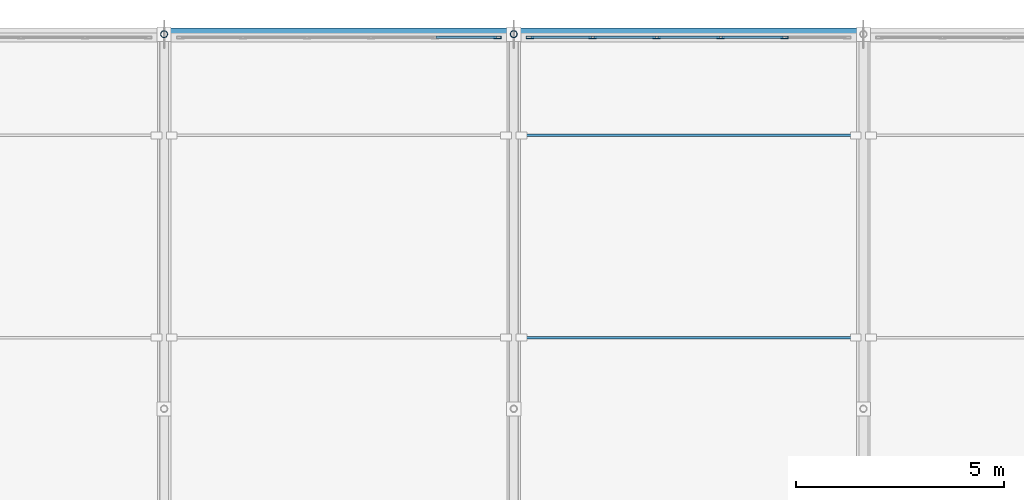
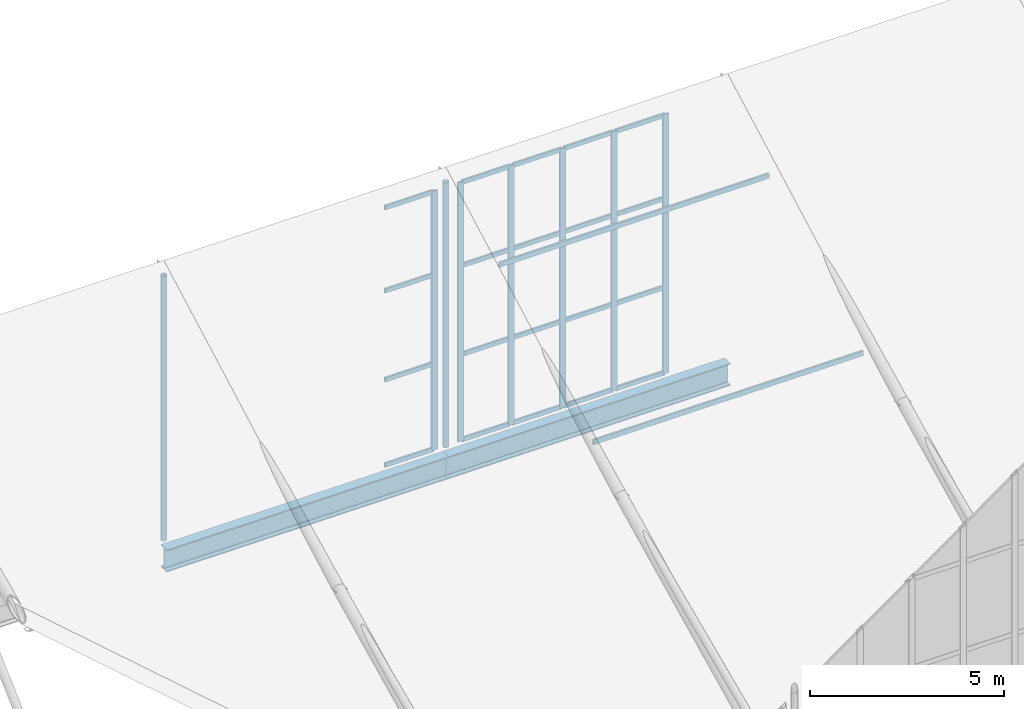
# One storey, part 23 of 38: 30 members, 2 beams, 2 elements without a shape of their own.
"""IFC4 building model written with IfcOpenShell, lengths in metres."""

from ifc_helpers import new_model, si_unit, direction, frame, origin, origin_2d, place, context, subcontext, project, spatial, hollow_rectangle, hollow_circle, i_section, extrude, material, material_profile, profile_set, type_object, element, aggregate, save


model = new_model("IFC4")

# Units and contexts
model_context = context("Model", 3, precision=1e-05, world=origin(), true_north=direction((0.0, 1.0)))
body_context = subcontext(model_context, "Body", "Model", "MODEL_VIEW")
ifc_project = project(units=[si_unit("LENGTHUNIT", "METRE"), si_unit("AREAUNIT", "SQUARE_METRE"), si_unit("VOLUMEUNIT", "CUBIC_METRE"), si_unit("PLANEANGLEUNIT", "RADIAN"), si_unit("MASSUNIT", "GRAM", prefix="KILO")], contexts=[model_context])

# Site, building, storey
site_placement = place(None, origin())
site = spatial("IfcSite", under=ifc_project, at=site_placement, CompositionType="ELEMENT")
building_placement = place(site_placement, origin())
building = spatial("IfcBuilding", under=site, at=building_placement, Name="Veltarok Museum of Natural Sciences", CompositionType="ELEMENT")
storey_placement = place(building_placement, frame((0.0, 0.0, 31.199951171875)))
storey = spatial("IfcBuildingStorey", under=building, at=storey_placement, Name="RF", CompositionType="ELEMENT", Elevation=31.199951171875)

# Beams
ifc_material_1 = material(Name="Steel S355J2", Category="steel")
ifc_material_profile_1 = material_profile(ifc_material_1, i_section(OverallWidth=0.300048828125, OverallDepth=0.699951171875, WebThickness=0.01708984375, FlangeThickness=0.031982421875, FilletRadius=0.027099609375, at=origin_2d()), Name="HEB 700")
ifc_profile_set_1 = profile_set([ifc_material_profile_1], Name="Steel S355J2")
beam_type = type_object("IfcBeamType", Name="Long-Span Hall Girder HEB 700", PredefinedType="BEAM", material=ifc_profile_set_1)
beam_1_placement = place(storey_placement, frame((48.39990234375, 72.0, -6.389892578125), z_axis=(1.0, 0.0, 0.0), x_axis=(0.0, 1.0, 0.0)))
element("IfcBeam", 1, at=beam_1_placement, inside=storey, type_object=beam_type, Name="Sawtooth Valley Girder 6-7 Y=72.0", PredefinedType="BEAM", context=body_context, shape_type="SweptSolid", body=[
    extrude(i_section(OverallWidth=0.300048828125, OverallDepth=0.699951171875, WebThickness=0.01708984375, FlangeThickness=0.031982421875, FilletRadius=0.027099609375, at=origin_2d()), origin(), (0.0, 0.0, 1.0), 8.400146484375),
])
beam_2_placement = place(storey_placement, frame((56.800048828125, 72.0, -6.389892578125), z_axis=(1.0, 0.0, 0.0), x_axis=(0.0, 1.0, 0.0)))
element("IfcBeam", 2, at=beam_2_placement, inside=storey, type_object=beam_type, Name="Sawtooth Valley Girder 7-8 Y=72.0", PredefinedType="BEAM", context=body_context, shape_type="SweptSolid", body=[
    extrude(i_section(OverallWidth=0.300048828125, OverallDepth=0.699951171875, WebThickness=0.01708984375, FlangeThickness=0.031982421875, FilletRadius=0.027099609375, at=origin_2d()), origin(), (0.0, 0.0, 1.0), 8.39990234375),
])

# Curtain wall, member
ifc_material_2 = material(Name="Low-iron triple insulated glass", Category="glass")
curtain_wall_type = type_object("IfcCurtainWallType", Name="Curtain Wall System CW-SAW-M2-768x817 (Sawtooth North Clerestory M2 768x817cm)", PredefinedType="NOTDEFINED", material=ifc_material_2)
curtain_wall_1_placement = place(storey_placement, origin())
curtain_wall_1 = element("IfcCurtainWall", 3, at=curtain_wall_1_placement, inside=storey, type_object=curtain_wall_type, Name="Curtain Wall CW-SAW-M2-768x817 CW-SAW-0075", PredefinedType="NOTDEFINED")
ifc_material_3 = material(Name="Thermally broken anodised aluminium", Category="aluminium")
ifc_material_profile_2 = material_profile(ifc_material_3, hollow_rectangle(XDim=0.06005859375, YDim=0.179931640625, WallThickness=0.006103515625, at=origin_2d()), Name="CW MULLION 60x180x6")
ifc_profile_set_2 = profile_set([ifc_material_profile_2], Name="Thermally broken anodised aluminium")
member_type_1 = type_object("IfcMemberType", Name="Sawtooth Clerestory Mullion 60x180x6", PredefinedType="MULLION", material=ifc_profile_set_2)
member_1_placement = place(storey_placement, frame((56.409912109375, 71.919921875, -5.719970703125), z_axis=(0.0, 0.0, 1.0), x_axis=(0.0, -1.0, 0.0)))
member_1 = element("IfcMember", 4, at=member_1_placement, type_object=member_type_1, Name="CW-SAW-M2-768x817 mullion 1", PredefinedType="MULLION", context=body_context, shape_type="SweptSolid", body=[
    extrude(hollow_rectangle(XDim=0.06005859375, YDim=0.179931640625, WallThickness=0.006103515625, at=origin_2d()), origin(), (0.0, 0.0, 1.0), 8.169921875),
])

# Curtain wall, members
curtain_wall_2_placement = place(storey_placement, origin())
curtain_wall_2 = element("IfcCurtainWall", 5, at=curtain_wall_2_placement, inside=storey, type_object=curtain_wall_type, Name="Curtain Wall CW-SAW-M2-768x817 CW-SAW-0077", PredefinedType="NOTDEFINED")
member_2_placement = place(storey_placement, frame((63.303955078125, 71.919921875, -5.719970703125), z_axis=(0.0, 0.0, 1.0), x_axis=(0.0, -1.0, 0.0)))
member_2 = element("IfcMember", 6, at=member_2_placement, type_object=member_type_1, Name="CW-SAW-M2-768x817 mullion 2", PredefinedType="MULLION", context=body_context, shape_type="SweptSolid", body=[
    extrude(hollow_rectangle(XDim=0.06005859375, YDim=0.179931640625, WallThickness=0.006103515625, at=origin_2d()), origin(), (0.0, 0.0, 1.0), 8.169921875),
])
member_3_placement = place(storey_placement, frame((61.76806640625, 71.919921875, -5.719970703125), z_axis=(0.0, 0.0, 1.0), x_axis=(0.0, -1.0, 0.0)))
member_3 = element("IfcMember", 7, at=member_3_placement, type_object=member_type_1, Name="CW-SAW-M2-768x817 mullion 3", PredefinedType="MULLION", context=body_context, shape_type="SweptSolid", body=[
    extrude(hollow_rectangle(XDim=0.06005859375, YDim=0.179931640625, WallThickness=0.006103515625, at=origin_2d()), origin(), (0.0, 0.0, 1.0), 8.169921875),
])
member_4_placement = place(storey_placement, frame((60.23193359375, 71.919921875, -5.719970703125), z_axis=(0.0, 0.0, 1.0), x_axis=(0.0, -1.0, 0.0)))
member_4 = element("IfcMember", 8, at=member_4_placement, type_object=member_type_1, Name="CW-SAW-M2-768x817 mullion 4", PredefinedType="MULLION", context=body_context, shape_type="SweptSolid", body=[
    extrude(hollow_rectangle(XDim=0.06005859375, YDim=0.179931640625, WallThickness=0.006103515625, at=origin_2d()), origin(), (0.0, 0.0, 1.0), 8.169921875),
])
member_5_placement = place(storey_placement, frame((58.696044921875, 71.919921875, -5.719970703125), z_axis=(0.0, 0.0, 1.0), x_axis=(0.0, -1.0, 0.0)))
member_5 = element("IfcMember", 9, at=member_5_placement, type_object=member_type_1, Name="CW-SAW-M2-768x817 mullion 5", PredefinedType="MULLION", context=body_context, shape_type="SweptSolid", body=[
    extrude(hollow_rectangle(XDim=0.06005859375, YDim=0.179931640625, WallThickness=0.006103515625, at=origin_2d()), origin(), (0.0, 0.0, 1.0), 8.169921875),
])
member_6_placement = place(storey_placement, frame((57.18994140625, 71.919921875, -5.719970703125), z_axis=(0.0, 0.0, 1.0), x_axis=(0.0, -1.0, 0.0)))
member_6 = element("IfcMember", 10, at=member_6_placement, type_object=member_type_1, Name="CW-SAW-M2-768x817 mullion 6", PredefinedType="MULLION", context=body_context, shape_type="SweptSolid", body=[
    extrude(hollow_rectangle(XDim=0.06005859375, YDim=0.179931640625, WallThickness=0.006103515625, at=origin_2d()), origin(), (0.0, 0.0, 1.0), 8.169921875),
])

# Member
ifc_material_profile_3 = material_profile(ifc_material_3, hollow_rectangle(XDim=0.06005859375, YDim=0.139892578125, WallThickness=0.0048828125, at=origin_2d()), Name="CW TRANSOM 60x140x5")
ifc_profile_set_3 = profile_set([ifc_material_profile_3], Name="Thermally broken anodised aluminium")
member_type_2 = type_object("IfcMemberType", Name="Sawtooth Clerestory Transom 60x140x5", PredefinedType="USERDEFINED", material=ifc_profile_set_3)
member_7_placement = place(storey_placement, frame((56.3798828125, 71.919921875, -5.68994140625), z_axis=(-1.0, 0.0, 0.0), x_axis=(0.0, -1.0, 0.0)))
member_7 = element("IfcMember", 11, at=member_7_placement, type_object=member_type_2, Name="CW-SAW-M2-768x817 transom 1.1", ObjectType="TRANSOM", PredefinedType="USERDEFINED", context=body_context, shape_type="SweptSolid", body=[
    extrude(hollow_rectangle(XDim=0.06005859375, YDim=0.139892578125, WallThickness=0.0048828125, at=origin_2d()), origin(), (0.0, 0.0, 1.0), 1.44580078125),
])

member_8_placement = place(storey_placement, frame((56.3798828125, 71.919921875, -3.0), z_axis=(-1.0, 0.0, 0.0), x_axis=(0.0, -1.0, 0.0)))
member_8 = element("IfcMember", 12, at=member_8_placement, type_object=member_type_2, Name="CW-SAW-M2-768x817 transom 1.2", ObjectType="TRANSOM", PredefinedType="USERDEFINED", context=body_context, shape_type="SweptSolid", body=[
    extrude(hollow_rectangle(XDim=0.06005859375, YDim=0.139892578125, WallThickness=0.0048828125, at=origin_2d()), origin(), (0.0, 0.0, 1.0), 1.44580078125),
])

member_9_placement = place(storey_placement, frame((56.3798828125, 71.919921875, -0.199951171875), z_axis=(-1.0, 0.0, 0.0), x_axis=(0.0, -1.0, 0.0)))
member_9 = element("IfcMember", 13, at=member_9_placement, type_object=member_type_2, Name="CW-SAW-M2-768x817 transom 1.3", ObjectType="TRANSOM", PredefinedType="USERDEFINED", context=body_context, shape_type="SweptSolid", body=[
    extrude(hollow_rectangle(XDim=0.06005859375, YDim=0.139892578125, WallThickness=0.0048828125, at=origin_2d()), origin(), (0.0, 0.0, 1.0), 1.44580078125),
])

member_10_placement = place(storey_placement, frame((56.3798828125, 71.919921875, 2.420166015625), z_axis=(-1.0, 0.0, 0.0), x_axis=(0.0, -1.0, 0.0)))
member_10 = element("IfcMember", 14, at=member_10_placement, type_object=member_type_2, Name="CW-SAW-M2-768x817 transom 1.4", ObjectType="TRANSOM", PredefinedType="USERDEFINED", context=body_context, shape_type="SweptSolid", body=[
    extrude(hollow_rectangle(XDim=0.06005859375, YDim=0.139892578125, WallThickness=0.0048828125, at=origin_2d()), origin(), (0.0, 0.0, 1.0), 1.44580078125),
])

aggregate(curtain_wall_1, [member_1, member_7, member_8, member_9, member_10])

member_11_placement = place(storey_placement, frame((63.27392578125, 71.919921875, -5.68994140625), z_axis=(-1.0, 0.0, 0.0), x_axis=(0.0, -1.0, 0.0)))
member_11 = element("IfcMember", 15, at=member_11_placement, type_object=member_type_2, Name="CW-SAW-M2-768x817 transom 2.1", ObjectType="TRANSOM", PredefinedType="USERDEFINED", context=body_context, shape_type="SweptSolid", body=[
    extrude(hollow_rectangle(XDim=0.06005859375, YDim=0.139892578125, WallThickness=0.0048828125, at=origin_2d()), origin(), (0.0, 0.0, 1.0), 1.475830078125),
])

member_12_placement = place(storey_placement, frame((63.27392578125, 71.919921875, -3.0), z_axis=(-1.0, 0.0, 0.0), x_axis=(0.0, -1.0, 0.0)))
member_12 = element("IfcMember", 16, at=member_12_placement, type_object=member_type_2, Name="CW-SAW-M2-768x817 transom 2.2", ObjectType="TRANSOM", PredefinedType="USERDEFINED", context=body_context, shape_type="SweptSolid", body=[
    extrude(hollow_rectangle(XDim=0.06005859375, YDim=0.139892578125, WallThickness=0.0048828125, at=origin_2d()), origin(), (0.0, 0.0, 1.0), 1.475830078125),
])

member_13_placement = place(storey_placement, frame((63.27392578125, 71.919921875, -0.199951171875), z_axis=(-1.0, 0.0, 0.0), x_axis=(0.0, -1.0, 0.0)))
member_13 = element("IfcMember", 17, at=member_13_placement, type_object=member_type_2, Name="CW-SAW-M2-768x817 transom 2.3", ObjectType="TRANSOM", PredefinedType="USERDEFINED", context=body_context, shape_type="SweptSolid", body=[
    extrude(hollow_rectangle(XDim=0.06005859375, YDim=0.139892578125, WallThickness=0.0048828125, at=origin_2d()), origin(), (0.0, 0.0, 1.0), 1.475830078125),
])

member_14_placement = place(storey_placement, frame((63.27392578125, 71.919921875, 2.420166015625), z_axis=(-1.0, 0.0, 0.0), x_axis=(0.0, -1.0, 0.0)))
member_14 = element("IfcMember", 18, at=member_14_placement, type_object=member_type_2, Name="CW-SAW-M2-768x817 transom 2.4", ObjectType="TRANSOM", PredefinedType="USERDEFINED", context=body_context, shape_type="SweptSolid", body=[
    extrude(hollow_rectangle(XDim=0.06005859375, YDim=0.139892578125, WallThickness=0.0048828125, at=origin_2d()), origin(), (0.0, 0.0, 1.0), 1.475830078125),
])

member_15_placement = place(storey_placement, frame((61.738037109375, 71.919921875, -5.68994140625), z_axis=(-1.0, 0.0, 0.0), x_axis=(0.0, -1.0, 0.0)))
member_15 = element("IfcMember", 19, at=member_15_placement, type_object=member_type_2, Name="CW-SAW-M2-768x817 transom 3.1", ObjectType="TRANSOM", PredefinedType="USERDEFINED", context=body_context, shape_type="SweptSolid", body=[
    extrude(hollow_rectangle(XDim=0.06005859375, YDim=0.139892578125, WallThickness=0.0048828125, at=origin_2d()), origin(), (0.0, 0.0, 1.0), 1.47607421875),
])

member_16_placement = place(storey_placement, frame((61.738037109375, 71.919921875, -3.0), z_axis=(-1.0, 0.0, 0.0), x_axis=(0.0, -1.0, 0.0)))
member_16 = element("IfcMember", 20, at=member_16_placement, type_object=member_type_2, Name="CW-SAW-M2-768x817 transom 3.2", ObjectType="TRANSOM", PredefinedType="USERDEFINED", context=body_context, shape_type="SweptSolid", body=[
    extrude(hollow_rectangle(XDim=0.06005859375, YDim=0.139892578125, WallThickness=0.0048828125, at=origin_2d()), origin(), (0.0, 0.0, 1.0), 1.47607421875),
])

member_17_placement = place(storey_placement, frame((61.738037109375, 71.919921875, -0.199951171875), z_axis=(-1.0, 0.0, 0.0), x_axis=(0.0, -1.0, 0.0)))
member_17 = element("IfcMember", 21, at=member_17_placement, type_object=member_type_2, Name="CW-SAW-M2-768x817 transom 3.3", ObjectType="TRANSOM", PredefinedType="USERDEFINED", context=body_context, shape_type="SweptSolid", body=[
    extrude(hollow_rectangle(XDim=0.06005859375, YDim=0.139892578125, WallThickness=0.0048828125, at=origin_2d()), origin(), (0.0, 0.0, 1.0), 1.47607421875),
])

member_18_placement = place(storey_placement, frame((61.738037109375, 71.919921875, 2.420166015625), z_axis=(-1.0, 0.0, 0.0), x_axis=(0.0, -1.0, 0.0)))
member_18 = element("IfcMember", 22, at=member_18_placement, type_object=member_type_2, Name="CW-SAW-M2-768x817 transom 3.4", ObjectType="TRANSOM", PredefinedType="USERDEFINED", context=body_context, shape_type="SweptSolid", body=[
    extrude(hollow_rectangle(XDim=0.06005859375, YDim=0.139892578125, WallThickness=0.0048828125, at=origin_2d()), origin(), (0.0, 0.0, 1.0), 1.47607421875),
])

member_19_placement = place(storey_placement, frame((60.201904296875, 71.919921875, -5.68994140625), z_axis=(-1.0, 0.0, 0.0), x_axis=(0.0, -1.0, 0.0)))
member_19 = element("IfcMember", 23, at=member_19_placement, type_object=member_type_2, Name="CW-SAW-M2-768x817 transom 4.1", ObjectType="TRANSOM", PredefinedType="USERDEFINED", context=body_context, shape_type="SweptSolid", body=[
    extrude(hollow_rectangle(XDim=0.06005859375, YDim=0.139892578125, WallThickness=0.0048828125, at=origin_2d()), origin(), (0.0, 0.0, 1.0), 1.475830078125),
])

member_20_placement = place(storey_placement, frame((60.201904296875, 71.919921875, -3.0), z_axis=(-1.0, 0.0, 0.0), x_axis=(0.0, -1.0, 0.0)))
member_20 = element("IfcMember", 24, at=member_20_placement, type_object=member_type_2, Name="CW-SAW-M2-768x817 transom 4.2", ObjectType="TRANSOM", PredefinedType="USERDEFINED", context=body_context, shape_type="SweptSolid", body=[
    extrude(hollow_rectangle(XDim=0.06005859375, YDim=0.139892578125, WallThickness=0.0048828125, at=origin_2d()), origin(), (0.0, 0.0, 1.0), 1.475830078125),
])

member_21_placement = place(storey_placement, frame((60.201904296875, 71.919921875, -0.199951171875), z_axis=(-1.0, 0.0, 0.0), x_axis=(0.0, -1.0, 0.0)))
member_21 = element("IfcMember", 25, at=member_21_placement, type_object=member_type_2, Name="CW-SAW-M2-768x817 transom 4.3", ObjectType="TRANSOM", PredefinedType="USERDEFINED", context=body_context, shape_type="SweptSolid", body=[
    extrude(hollow_rectangle(XDim=0.06005859375, YDim=0.139892578125, WallThickness=0.0048828125, at=origin_2d()), origin(), (0.0, 0.0, 1.0), 1.475830078125),
])

member_22_placement = place(storey_placement, frame((60.201904296875, 71.919921875, 2.420166015625), z_axis=(-1.0, 0.0, 0.0), x_axis=(0.0, -1.0, 0.0)))
member_22 = element("IfcMember", 26, at=member_22_placement, type_object=member_type_2, Name="CW-SAW-M2-768x817 transom 4.4", ObjectType="TRANSOM", PredefinedType="USERDEFINED", context=body_context, shape_type="SweptSolid", body=[
    extrude(hollow_rectangle(XDim=0.06005859375, YDim=0.139892578125, WallThickness=0.0048828125, at=origin_2d()), origin(), (0.0, 0.0, 1.0), 1.475830078125),
])

member_23_placement = place(storey_placement, frame((58.666015625, 71.919921875, -5.68994140625), z_axis=(-1.0, 0.0, 0.0), x_axis=(0.0, -1.0, 0.0)))
member_23 = element("IfcMember", 27, at=member_23_placement, type_object=member_type_2, Name="CW-SAW-M2-768x817 transom 5.1", ObjectType="TRANSOM", PredefinedType="USERDEFINED", context=body_context, shape_type="SweptSolid", body=[
    extrude(hollow_rectangle(XDim=0.06005859375, YDim=0.139892578125, WallThickness=0.0048828125, at=origin_2d()), origin(), (0.0, 0.0, 1.0), 1.446044921875),
])

member_24_placement = place(storey_placement, frame((58.666015625, 71.919921875, -3.0), z_axis=(-1.0, 0.0, 0.0), x_axis=(0.0, -1.0, 0.0)))
member_24 = element("IfcMember", 28, at=member_24_placement, type_object=member_type_2, Name="CW-SAW-M2-768x817 transom 5.2", ObjectType="TRANSOM", PredefinedType="USERDEFINED", context=body_context, shape_type="SweptSolid", body=[
    extrude(hollow_rectangle(XDim=0.06005859375, YDim=0.139892578125, WallThickness=0.0048828125, at=origin_2d()), origin(), (0.0, 0.0, 1.0), 1.446044921875),
])

member_25_placement = place(storey_placement, frame((58.666015625, 71.919921875, -0.199951171875), z_axis=(-1.0, 0.0, 0.0), x_axis=(0.0, -1.0, 0.0)))
member_25 = element("IfcMember", 29, at=member_25_placement, type_object=member_type_2, Name="CW-SAW-M2-768x817 transom 5.3", ObjectType="TRANSOM", PredefinedType="USERDEFINED", context=body_context, shape_type="SweptSolid", body=[
    extrude(hollow_rectangle(XDim=0.06005859375, YDim=0.139892578125, WallThickness=0.0048828125, at=origin_2d()), origin(), (0.0, 0.0, 1.0), 1.446044921875),
])

member_26_placement = place(storey_placement, frame((58.666015625, 71.919921875, 2.420166015625), z_axis=(-1.0, 0.0, 0.0), x_axis=(0.0, -1.0, 0.0)))
member_26 = element("IfcMember", 30, at=member_26_placement, type_object=member_type_2, Name="CW-SAW-M2-768x817 transom 5.4", ObjectType="TRANSOM", PredefinedType="USERDEFINED", context=body_context, shape_type="SweptSolid", body=[
    extrude(hollow_rectangle(XDim=0.06005859375, YDim=0.139892578125, WallThickness=0.0048828125, at=origin_2d()), origin(), (0.0, 0.0, 1.0), 1.446044921875),
])

aggregate(curtain_wall_2, [member_2, member_3, member_4, member_5, member_6, member_11, member_12, member_13, member_14, member_15, member_16, member_17, member_18, member_19, member_20, member_21, member_22, member_23, member_24, member_25, member_26])

# Members
ifc_material_profile_4 = material_profile(ifc_material_1, hollow_rectangle(XDim=0.06005859375, YDim=0.159912109375, WallThickness=0.0048828125, at=origin_2d()), Name="RHS 160x60x5")
ifc_profile_set_4 = profile_set([ifc_material_profile_4], Name="Steel S355J2")
member_type_3 = type_object("IfcMemberType", Name="Sawtooth Roof Purlin RHS 160x60x5", PredefinedType="PURLIN", material=ifc_profile_set_4)
for number, where, z_axis, x_axis, name in (
    (31, (56.97998046875, 64.7099609375, -1.310302734375), (1.0, 0.0, 0.0), (0.0, 1.0, 0.0), "Sawtooth Purlin 7-8 M2"),
    (32, (56.97998046875, 69.570068359375, 1.32958984375), (1.0, 0.0, 0.0), (0.0, 1.0, 0.0), "Sawtooth Purlin 7-8 M2"),
):
    element("IfcMember", number, at=place(storey_placement, frame(where, z_axis=z_axis, x_axis=x_axis)), inside=storey, type_object=member_type_3, Name=name, PredefinedType="PURLIN", context=body_context, shape_type="SweptSolid", body=[
        extrude(hollow_rectangle(XDim=0.06005859375, YDim=0.159912109375, WallThickness=0.0048828125, at=origin_2d()), origin(), (0.0, 0.0, 1.0), 8.0400390625),
    ])
ifc_material_4 = material(Name="Oxide-red painted Steel S355J2", Category="steel")
ifc_material_profile_5 = material_profile(ifc_material_4, hollow_circle(Radius=0.084228515625, WallThickness=0.008056640625, at=origin_2d()), Name="CHS 168.3x8")
ifc_profile_set_5 = profile_set([ifc_material_profile_5], Name="Oxide-red painted Steel S355J2")
member_type_4 = type_object("IfcMemberType", Name="Sawtooth Truss Vertical Strut CHS 168.3x8", PredefinedType="STRUT", material=ifc_profile_set_5)
for number, where, z_axis, x_axis, name in (
    (33, (48.39990234375, 72.0, -5.800048828125), (0.0, 0.0, 1.0), (1.0, 0.0, 0.0), "Roof Truss Strut 6 M2"),
    (34, (56.800048828125, 72.0, -5.800048828125), (0.0, 0.0, 1.0), (1.0, 0.0, 0.0), "Roof Truss Strut 7 M2"),
):
    element("IfcMember", number, at=place(storey_placement, frame(where, z_axis=z_axis, x_axis=x_axis)), inside=storey, type_object=member_type_4, Name=name, PredefinedType="STRUT", context=body_context, shape_type="SweptSolid", body=[
        extrude(hollow_circle(Radius=0.084228515625, WallThickness=0.008056640625, at=origin_2d()), origin(), (0.0, 0.0, 1.0), 8.35009765625),
    ])

save(model, "model.ifc")
